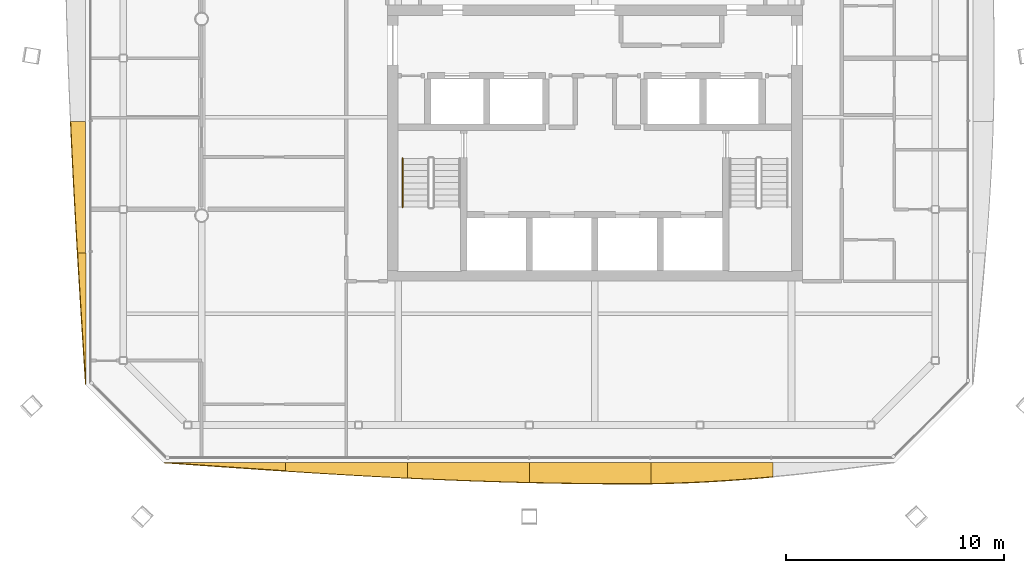
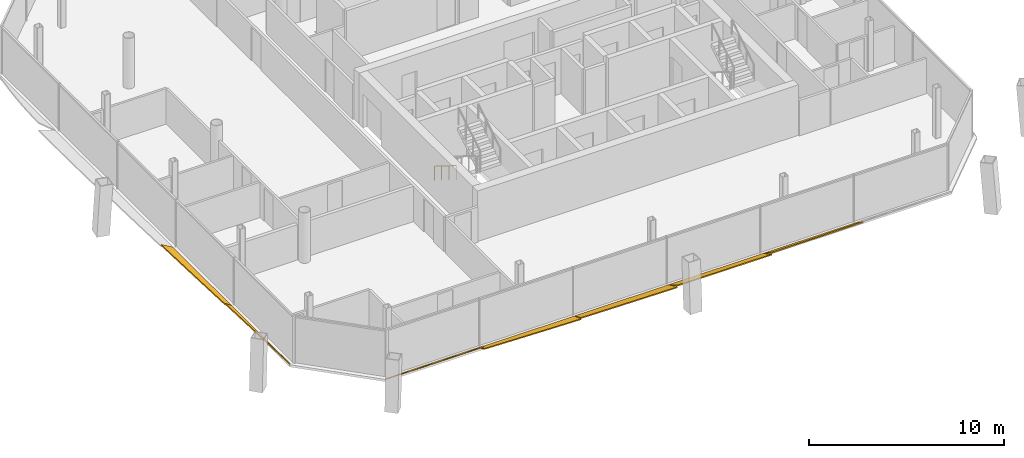
# One storey, part 17 of 20: 7 shading devices, 1 railing.
"""IFC4 building model written with IfcOpenShell, lengths in metres."""

import ifcopenshell
import ifcopenshell.guid

model = None  # the IFC model being written
_history = None  # IfcOwnerHistory: only IFC2X3 demands one
_inside = {}  # id of a spatial element -> (the spatial element, [elements in it])
_under = {}  # id of a project, library or spatial element -> (it, [spatial elements below it])
_declared = {}  # id of a project -> (the project, [libraries it declares])
_typed = {}  # id of a type object -> (the type object, [elements of that type])
_made_of = {}  # id of a material, layer set ... -> (it, [elements and type objects made of it])


def new_model(schema):
    """Start an empty IFC model of exactly this schema.

    Asked for "IFC4X3", IfcOpenShell would pick the latest addendum, in which some entities
    have other attributes; the version numbers below select the first issue.
    IFC2X3 requires an IfcOwnerHistory on every rooted entity: one is made here for all.
    """
    global model, _history
    if schema == "IFC4X3":
        model = ifcopenshell.file(schema_version=(4, 3, 0, 0))
    else:
        model = ifcopenshell.file(schema=schema)
    _inside.clear()
    _under.clear()
    _declared.clear()
    _typed.clear()
    _made_of.clear()
    _history = None
    if model.schema == "IFC2X3":
        org = make("IfcOrganization", Name="unknown")
        user = make(
            "IfcPersonAndOrganization",
            ThePerson=make("IfcPerson", FamilyName="unknown"),
            TheOrganization=org,
        )
        app = make(
            "IfcApplication",
            ApplicationDeveloper=org,
            Version="unknown",
            ApplicationFullName="unknown",
            ApplicationIdentifier="unknown",
        )
        _history = make(
            "IfcOwnerHistory",
            OwningUser=user,
            OwningApplication=app,
            ChangeAction="ADDED",
            CreationDate=0,
        )
    return model


def make(cls, **values):
    """One entity of the class cls with the attributes given. An attribute that is None is left unset."""
    return model.create_entity(
        cls, **{name: value for name, value in values.items() if value is not None}
    )


def rooted(cls, **values):
    """An entity with a GlobalId (a new one), such as an element, a storey or a relation."""
    return make(cls, GlobalId=ifcopenshell.guid.new(), OwnerHistory=_history, **values)


def si_unit(unit_type, name, prefix=None):
    """IfcSIUnit, for example si_unit("LENGTHUNIT", "METRE", prefix="MILLI")."""
    return make("IfcSIUnit", UnitType=unit_type, Prefix=prefix, Name=name)


def assignment(units):
    """IfcUnitAssignment: the units of a project."""
    return None if units is None else make("IfcUnitAssignment", Units=units)


def point(xyz):
    """IfcCartesianPoint."""
    return None if xyz is None else make("IfcCartesianPoint", Coordinates=xyz)


def direction(xyz):
    """IfcDirection."""
    return None if xyz is None else make("IfcDirection", DirectionRatios=xyz)


def frame(location, z_axis=None, x_axis=None):
    """IfcAxis2Placement3D, a coordinate frame: its origin and axes. An axis left out is left unset."""
    return make(
        "IfcAxis2Placement3D",
        Location=point(location),
        Axis=direction(z_axis),
        RefDirection=direction(x_axis),
    )


def frame_2d(location, x_axis=None):
    """IfcAxis2Placement2D, a coordinate frame in the plane: its origin and x axis."""
    return make(
        "IfcAxis2Placement2D", Location=point(location), RefDirection=direction(x_axis)
    )


def origin():
    """The frame at (0, 0, 0) with its axes left unset."""
    return frame((0.0, 0.0, 0.0))


def origin_2d():
    """The frame at (0, 0) in the plane with its x axis left unset."""
    return frame_2d((0.0, 0.0))


def place(relative_to, where):
    """IfcLocalPlacement: puts the frame where relative to a parent placement (None: the world)."""
    return make(
        "IfcLocalPlacement", PlacementRelTo=relative_to, RelativePlacement=where
    )


def context(
    kind, dimensions, precision=None, world=None, true_north=None, identifier=None
):
    """IfcGeometricRepresentationContext, for example the 3D "Model" context."""
    return make(
        "IfcGeometricRepresentationContext",
        ContextIdentifier=identifier,
        ContextType=kind,
        CoordinateSpaceDimension=dimensions,
        Precision=precision,
        WorldCoordinateSystem=world,
        TrueNorth=true_north,
    )


def subcontext(parent, identifier, kind, view, scale=None):
    """IfcGeometricRepresentationSubContext, for example "Body" below "Model"."""
    return make(
        "IfcGeometricRepresentationSubContext",
        ContextIdentifier=identifier,
        ContextType=kind,
        ParentContext=parent,
        TargetScale=scale,
        TargetView=view,
    )


def project(units=None, contexts=None):
    """IfcProject with its units and contexts."""
    return rooted(
        "IfcProject",
        Name="project",
        RepresentationContexts=contexts,
        UnitsInContext=assignment(units),
    )


def spatial(cls, under=None, at=None, **own):
    """A site, building, storey or space (cls), placed at a placement, below another one or the project."""
    s = rooted(cls, ObjectPlacement=at, **own)
    if under is not None:
        _under.setdefault(under.id(), (under, []))[1].append(s)
    return s


def polyline(points):
    """IfcPolyline through the points."""
    return make("IfcPolyline", Points=[point(p) for p in points])


def profile(cls, at=None, kind="AREA", **sizes):
    """A parametric profile (cls). Its sizes go by their IFC names, for example OverallWidth=200.0."""
    return make(cls, ProfileType=kind, Position=at, **sizes)


def circle(**sizes):
    """IfcCircleProfileDef."""
    return profile("IfcCircleProfileDef", **sizes)


def outline(outer, holes=None, kind="AREA"):
    """IfcArbitraryClosedProfileDef: a profile drawn as a closed curve; with holes, ...WithVoids."""
    if holes is None:
        return make("IfcArbitraryClosedProfileDef", ProfileType=kind, OuterCurve=outer)
    return make(
        "IfcArbitraryProfileDefWithVoids",
        ProfileType=kind,
        OuterCurve=outer,
        InnerCurves=holes,
    )


def extrude(swept, where, along, depth):
    """IfcExtrudedAreaSolid: the profile swept, set in the frame where, extruded along a direction by depth."""
    return make(
        "IfcExtrudedAreaSolid",
        SweptArea=swept,
        Position=where,
        ExtrudedDirection=direction(along),
        Depth=depth,
    )


def shape(context_of_items, identifier, shape_type, items):
    """IfcShapeRepresentation: the items that make up one representation, for example the "Body"."""
    return make(
        "IfcShapeRepresentation",
        ContextOfItems=context_of_items,
        RepresentationIdentifier=identifier,
        RepresentationType=shape_type,
        Items=items,
    )


def material(Name=None, Category=None):
    """IfcMaterial."""
    return make("IfcMaterial", Name=Name, Category=Category)


def layer(
    of_material, thickness, ventilated=None, Name=None, Category=None, Priority=None
):
    """IfcMaterialLayer: one layer of a wall or slab, of a material (None: an air gap)."""
    return make(
        "IfcMaterialLayer",
        Material=of_material,
        LayerThickness=thickness,
        IsVentilated=ventilated,
        Name=Name,
        Category=Category,
        Priority=Priority,
    )


def layer_set(layers, Name=None):
    """IfcMaterialLayerSet."""
    return make("IfcMaterialLayerSet", MaterialLayers=layers, LayerSetName=Name)


def made_of(thing, what):
    """Note that an element or type object is made of a material, layer set ...; save() writes the relation."""
    if what is not None:
        _made_of.setdefault(what.id(), (what, []))[1].append(thing)
    return thing


def type_object(cls, material=None, **own):
    """A type object (cls), such as IfcWallType, which elements share."""
    return made_of(rooted(cls, **own), material)


def element(
    cls,
    number,
    at=None,
    inside=None,
    cuts=None,
    type_object=None,
    material=None,
    context=None,
    identifier="Body",
    shape_type=None,
    held_by="IfcProductDefinitionShape",
    body=None,
    shapes=None,
    **own,
):
    """One element of the class cls, such as IfcWall. Its Tag is "e" and its number.

    at: its placement. inside: the storey or other place that contains it. cuts: it is an
    opening in that element (IfcRelVoidsElement). A single representation is given by context,
    identifier, shape_type and body (its items); several are given by shapes. held_by: the class
    of the entity that holds the representations. save() writes the other relations.
    """
    e = rooted(cls, Tag="e%d" % number, ObjectPlacement=at, **own)
    if body is not None:
        shapes = [shape(context, identifier, shape_type, body)]
    if shapes is not None:
        e.Representation = make(held_by, Representations=shapes)
    if inside is not None:
        _inside.setdefault(inside.id(), (inside, []))[1].append(e)
    if cuts is not None:
        rooted(
            "IfcRelVoidsElement", RelatingBuildingElement=cuts, RelatedOpeningElement=e
        )
    if type_object is not None:
        _typed.setdefault(type_object.id(), (type_object, []))[1].append(e)
    return made_of(e, material)


def aggregate(whole, parts):
    """IfcRelAggregates: a whole, such as a stair, and the parts it consists of."""
    return rooted("IfcRelAggregates", RelatingObject=whole, RelatedObjects=parts)


def save(model, path):
    """Write the relations noted so far, then the file.

    IfcRelAggregates (storeys below a building ...), IfcRelContainedInSpatialStructure (elements
    in a storey), IfcRelDefinesByType, IfcRelAssociatesMaterial and IfcRelDeclares: one each for
    every whole, place, type object, material and project.
    """
    for whole, parts in _under.values():
        aggregate(whole, parts)
    for where, things in _inside.values():
        rooted(
            "IfcRelContainedInSpatialStructure",
            RelatedElements=things,
            RelatingStructure=where,
        )
    for kind, things in _typed.values():
        rooted("IfcRelDefinesByType", RelatedObjects=things, RelatingType=kind)
    for what, things in _made_of.values():
        rooted("IfcRelAssociatesMaterial", RelatedObjects=things, RelatingMaterial=what)
    for by, libraries in _declared.values():
        rooted("IfcRelDeclares", RelatingContext=by, RelatedDefinitions=libraries)
    model.write(path)


model = new_model("IFC4")

# Units and contexts
model_context = context("Model", 3, precision=1e-05, world=origin(), true_north=direction((0.0, 1.0)))
body_context = subcontext(model_context, "Body", "Model", "MODEL_VIEW")
ifc_project = project(units=[si_unit("LENGTHUNIT", "METRE"), si_unit("AREAUNIT", "SQUARE_METRE"), si_unit("VOLUMEUNIT", "CUBIC_METRE"), si_unit("PLANEANGLEUNIT", "RADIAN"), si_unit("MASSUNIT", "GRAM", prefix="KILO")], contexts=[model_context])

# Site, building, storey
site_placement = place(None, origin())
site = spatial("IfcSite", under=ifc_project, at=site_placement, CompositionType="ELEMENT")
building_placement = place(site_placement, origin())
building = spatial("IfcBuilding", under=site, at=building_placement, Name="Tskaro Facet Tower", CompositionType="ELEMENT")
storey_placement = place(building_placement, frame((0.0, 0.0, 197.39990234375)))
storey = spatial("IfcBuildingStorey", under=building, at=storey_placement, Name="L50", CompositionType="ELEMENT", Elevation=197.39990234375)

# Shading devices
ifc_material_1 = material(Name="Bronze anodised aluminium 6063-T6", Category="aluminium")
ifc_layer = layer(ifc_material_1, 0.06005859375, Name="Bronze anodised aluminium 6063-T6")
ifc_layer_set = layer_set([ifc_layer], Name="Bronze anodised aluminium 6063-T6")
shading_device_type = type_object("IfcShadingDeviceType", Name="Bronze sun blade (FN1)", PredefinedType="USERDEFINED", material=ifc_layer_set)
shading_device_1_placement = place(storey_placement, frame((-19.721923828125, -20.29150390625, 0.046142578125), z_axis=(3.099335e-06, 0.642702273642, 0.766116040457), x_axis=(0.999999999995, -1.99195e-06, -2.37445e-06)))
element("IfcShadingDevice", 1, at=shading_device_1_placement, inside=storey, type_object=shading_device_type, Name="Fin blade south 1", ObjectType="FIN", PredefinedType="USERDEFINED", context=body_context, shape_type="SweptSolid", body=[
    extrude(outline(polyline([(0.0, 0.0), (5.5739746093482285, 0.0), (5.573974609399489, -0.5003029975376317), (4.8771972657246385, -0.4406916800258005), (4.180419921843624, -0.37986147311387686), (3.4836425782427622, -0.31799941685080135), (2.7868652343423514, -0.25526242097135066), (2.0900878905353246, -0.1921814753081827), (1.3933105469150664, -0.1284126300775802), (0.6967773435268747, -0.06411279501431975), (0.0, 0.0)])), origin(), (0.0, 0.0, -1.0), 0.06005859375),
])
shading_device_2_placement = place(storey_placement, frame((-14.14794921875, -20.3095703125, 0.056396484375), z_axis=(1.1255585e-05, 0.342185758499, 0.939632325196), x_axis=(0.999999999937, -3.851501e-06, -1.0576111e-05)))
element("IfcShadingDevice", 2, at=shading_device_2_placement, inside=storey, type_object=shading_device_type, Name="Fin blade south 2", ObjectType="FIN", PredefinedType="USERDEFINED", context=body_context, shape_type="SweptSolid", body=[
    extrude(outline(polyline([(0.0, 0.0), (5.573974609021922, -2.360670070649772e-21), (5.573974609708321, -0.7493151055870239), (4.877197266745785, -0.7123958063610963), (4.180419922365212, -0.6737036072831589), (3.4836425782083515, -0.6329255644851024), (2.786865234514069, -0.5908334266813523), (2.0900878903420566, -0.5471977914487507), (1.3935546863172983, -0.5020186587872975), (0.6967773421301333, -0.4555254311201507), (-6.541461515872933e-10, -0.40794751087046865), (0.0, 0.0)])), origin(), (0.0, 0.0, -1.0), 0.06005859375),
])
shading_device_3_placement = place(storey_placement, frame((-8.573974609375, -20.3046875, 0.054443359375), z_axis=(-7.560867e-06, 0.422633837298, 0.906300523841), x_axis=(0.999999999971, 3.195478e-06, 6.852418e-06)))
element("IfcShadingDevice", 3, at=shading_device_3_placement, inside=storey, type_object=shading_device_type, Name="Fin blade south 3", ObjectType="FIN", PredefinedType="USERDEFINED", context=body_context, shape_type="SweptSolid", body=[
    extrude(outline(polyline([(0.0, 0.0), (5.573974609215677, 0.0), (5.57397460931726, -1.004530004047883), (4.877197265544757, -0.9843237727012437), (4.180419921321608, -0.9619346947871796), (3.483642578208104, -0.9369202407530217), (2.786865235424101, -0.9095016753751044), (2.090332031141492, -0.8797970813405753), (1.3935546865633897, -0.8476883759622871), (0.6967773439877416, -0.8132787413294263), (-5.988443966431697e-10, -0.7771287896818102), (0.0, 0.0)])), origin(), (0.0, 0.0, -1.0), 0.06005859375),
])
shading_device_4_placement = place(storey_placement, frame((-3.0, -20.300048828125, 0.052001953125), z_axis=(-1.5526242e-05, 0.50005781906, 0.865992019222), x_axis=(0.999999999879, 7.764019e-06, 1.3445602e-05)))
element("IfcShadingDevice", 4, at=shading_device_4_placement, inside=storey, type_object=shading_device_type, Name="Fin blade south 4", ObjectType="FIN", PredefinedType="USERDEFINED", context=body_context, shape_type="SweptSolid", body=[
    extrude(outline(polyline([(0.0, 0.0), (5.573974608703158, -4.721340141299544e-21), (5.573974610467087, -1.1139322293921619), (4.877197264999617, -1.1195036347624858), (4.815917968132003, -1.1195036347624858), (4.180419922350416, -1.1184137705741202), (3.483642577573527, -1.114143653225005), (2.787109374068132, -1.1073602992378195), (2.0903320310926974, -1.0975187765183803), (1.3935546873766813, -1.0848305088995311), (0.6967773429200831, -1.069295496381272), (-8.899913781409952e-10, -1.0512472472249421), (0.0, 0.0)])), origin(), (0.0, 0.0, -1.0), 0.06005859375),
])
shading_device_5_placement = place(storey_placement, frame((2.573974609375, -20.295654296875, 0.04931640625), z_axis=(1.535086e-05, 0.573560578141, 0.819163147955), x_axis=(0.999999999882, -8.804648e-06, -1.2574859e-05)))
element("IfcShadingDevice", 5, at=shading_device_5_placement, inside=storey, type_object=shading_device_type, Name="Fin blade south 5", ObjectType="FIN", PredefinedType="USERDEFINED", context=body_context, shape_type="SweptSolid", body=[
    extrude(outline(polyline([(0.0, 0.0), (5.57397460871825, 4.721340141299544e-21), (5.5739746095656555, -0.7939309337810585), (4.877197263890809, -0.8712139612662158), (4.180419919737268, -0.9409766837931132), (3.4838867186504614, -1.0028790809207693), (2.7871093750813025, -1.0565211706432998), (2.090332032416148, -1.1008828916377604), (1.3935546875849645, -1.1361042733421904), (0.6967773445782462, -1.1617052658775693), (-1.8236123420677168e-09, -1.177625907678994), (0.0, 0.0)])), origin(), (0.0, 0.0, -1.0), 0.06005859375),
])
shading_device_6_placement = place(storey_placement, frame((-23.300048828125, -4.68359375, 0.052001953125), z_axis=(0.500081753031, 1.4114536e-05, 0.86597819839), x_axis=(7.058422e-06, -0.9999999999, 1.222288e-05)))
element("IfcShadingDevice", 6, at=shading_device_6_placement, inside=storey, type_object=shading_device_type, Name="Fin blade west 4", ObjectType="FIN", PredefinedType="USERDEFINED", context=body_context, shape_type="SweptSolid", body=[
    extrude(outline(polyline([(0.0, 0.0), (6.019287108775418, 0.0), (6.019287110152568, -0.4314011019022497), (5.35034179653695, -0.47646068028105437), (4.681640624471095, -0.5204303962819133), (4.012695313965904, -0.5636437606351872), (3.343994139042273, -0.6055230820670192), (2.675292968027531, -0.6464346313926534), (2.0063476560517453, -0.6859228076099817), (1.3376464826416201, -0.7241990311776161), (0.6687011729778015, -0.7609625514500801), (-1.1044580763182524e-09, -0.7963920288011022), (0.0, 0.0)])), origin(), (0.0, 0.0, -1.0), 0.06005859375),
])
shading_device_7_placement = place(storey_placement, frame((-23.295654296875, -10.702880859375, 0.04931640625), z_axis=(0.573541159763, 7.224174e-06, 0.819176744058), x_axis=(4.143361e-06, -0.999999999974, 5.917876e-06)))
element("IfcShadingDevice", 7, at=shading_device_7_placement, inside=storey, type_object=shading_device_type, Name="Fin blade west 5", ObjectType="FIN", PredefinedType="USERDEFINED", context=body_context, shape_type="SweptSolid", body=[
    extrude(outline(polyline([(0.0, 0.0), (6.019042968592937, -2.549163852735293e-21), (5.350341796988305, -0.05188202513738513), (4.681640625383673, -0.10376405027477026), (4.012695311709254, -0.15550605071494392), (3.343994140682952, -0.20684806251054763), (2.6750488275868642, -0.25805004960893985), (2.0063476567056644, -0.3085120290432657), (1.337402343321446, -0.35849396476088363), (0.6687011721521161, -0.4077358928144351), (-3.1690694914291986e-10, -0.4559577638094973), (0.0, 0.0)])), origin(), (0.0, 0.0, -1.0), 0.06005859375),
])

# Railing
ifc_material_2 = material(Name="Stainless steel", Category="steel")
railing_type = type_object("IfcRailingType", Name="RL-HANDRAIL-900", PredefinedType="HANDRAIL", material=ifc_material_2)
railing_placement = place(storey_placement, frame((-8.800048828125, -6.375, 0.175048828125)))
element("IfcRailing", 8, at=railing_placement, inside=storey, type_object=railing_type, Name="L50 ST-1 stair handrail 1", PredefinedType="HANDRAIL", context=body_context, shape_type="SweptSolid", body=[
    extrude(circle(Radius=0.02392578125, at=origin_2d()), frame((0.0, 0.0, 0.8759765625), z_axis=(0.0, -0.847972341737, 0.530040477369), x_axis=(1.0, 0.0, 0.0)), (0.0, 0.0, 1.0), 2.6416015625),
    extrude(circle(Radius=0.02099609375, at=origin_2d()), origin(), (0.0, 0.0, 1.0), 0.851806640625),
    extrude(circle(Radius=0.02099609375, at=origin_2d()), frame((0.0, -0.74658203125, 0.466796875)), (0.0, 0.0, 1.0), 0.851806640625),
    extrude(circle(Radius=0.02099609375, at=origin_2d()), frame((0.0, -1.493408203125, 0.933349609375)), (0.0, 0.0, 1.0), 0.851806640625),
    extrude(circle(Radius=0.02099609375, at=origin_2d()), frame((0.0, -2.239990234375, 1.400146484375)), (0.0, 0.0, 1.0), 0.851806640625),
])

save(model, "model.ifc")
